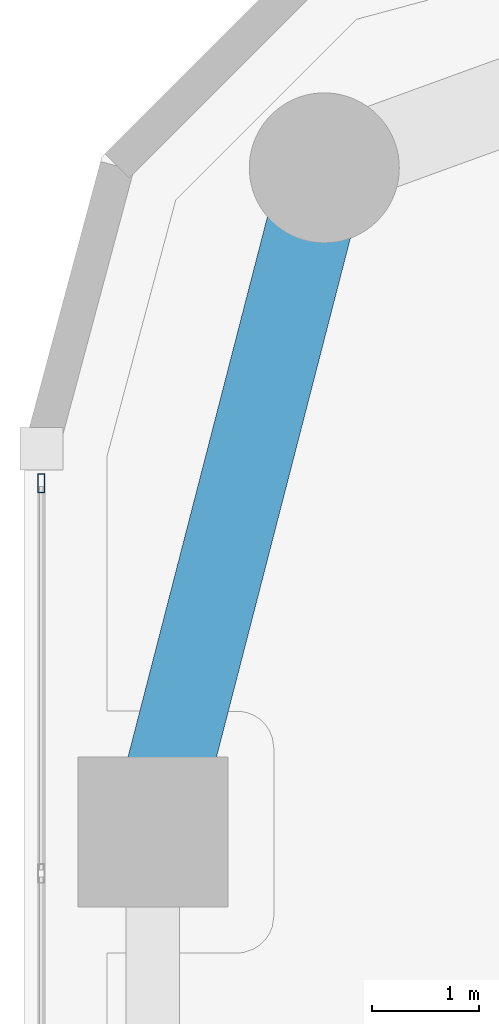
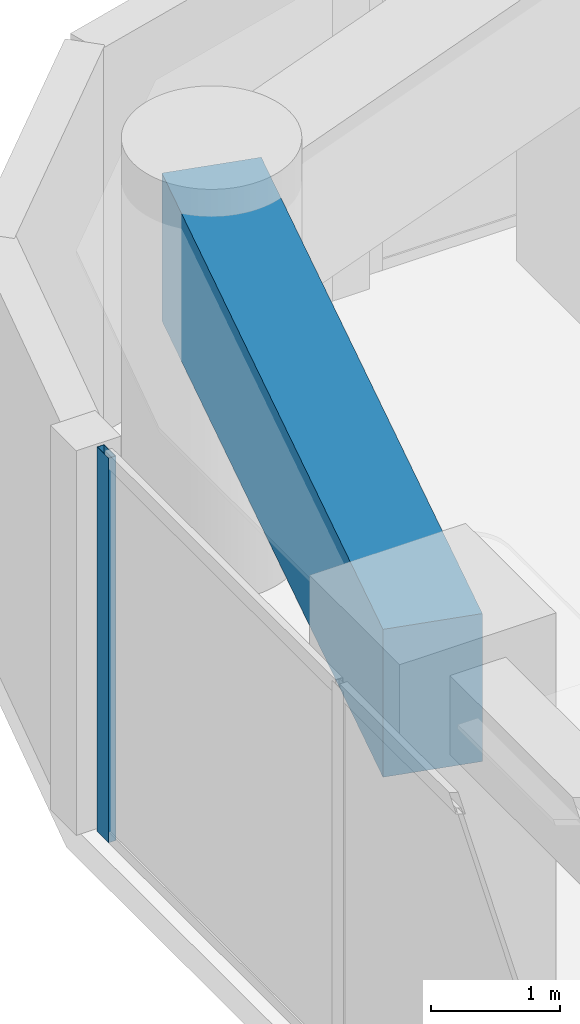
# One storey, part 11 of 24: 1 beam, 1 member, 1 element without a shape of its own.
"""IFC4 building model written with IfcOpenShell, lengths in metres."""

from ifc_helpers import new_model, si_unit, direction, frame, origin, origin_2d, place, context, subcontext, project, spatial, rectangle, hollow_rectangle, extrude, material, layer, layer_set, material_profile, profile_set, type_object, element, aggregate, save


model = new_model("IFC4")

# Units and contexts
model_context = context("Model", 3, precision=1e-05, world=origin(), true_north=direction((0.0, 1.0)))
body_context = subcontext(model_context, "Body", "Model", "MODEL_VIEW")
ifc_project = project(units=[si_unit("LENGTHUNIT", "METRE"), si_unit("AREAUNIT", "SQUARE_METRE"), si_unit("VOLUMEUNIT", "CUBIC_METRE"), si_unit("PLANEANGLEUNIT", "RADIAN"), si_unit("MASSUNIT", "GRAM", prefix="KILO")], contexts=[model_context])

# Site, building, storey
site_placement = place(None, origin())
site = spatial("IfcSite", under=ifc_project, at=site_placement, CompositionType="ELEMENT")
building_placement = place(site_placement, origin())
building = spatial("IfcBuilding", under=site, at=building_placement, Name="Kiyonajd Concourse Tower", CompositionType="ELEMENT")
storey_placement = place(building_placement, frame((0.0, 0.0, 133.800048828125)))
storey = spatial("IfcBuildingStorey", under=building, at=storey_placement, Name="L34", CompositionType="ELEMENT", Elevation=133.800048828125)

# Beam
ifc_material_1 = material(Name="Concrete C60/75", Category="concrete")
ifc_material_profile_1 = material_profile(ifc_material_1, rectangle(XDim=0.800048828125, YDim=1.39990234375, at=origin_2d()), Name="RCBM-800x1400")
ifc_profile_set_1 = profile_set([ifc_material_profile_1], Name="Concrete C60/75")
beam_type = type_object("IfcBeamType", Name="BM-XFER-RC", PredefinedType="BEAM", material=ifc_profile_set_1)
beam_placement = place(storey_placement, frame((20.800048828125, 59.60009765625, 2.93994140625), z_axis=(-0.249884937687, -0.968275538221, 0.0), x_axis=(0.968275538221, -0.249884937687, 0.0)))
element("IfcBeam", 1, at=beam_placement, inside=storey, type_object=beam_type, Name="L34 Perimeter Bundled Tube Spandrel", PredefinedType="BEAM", context=body_context, shape_type="SweptSolid", body=[
    extrude(rectangle(XDim=0.800048828125, YDim=1.39990234375, at=origin_2d()), origin(), (0.0, 0.0, 1.0), 6.4033203125),
])

# Curtain wall, member
ifc_material_2 = material(Name="Thermally Broken Anodised Aluminium", Category="aluminium")
ifc_layer = layer(ifc_material_2, 0.179931640625)
ifc_layer_set = layer_set([ifc_layer], Name="Thermally Broken Anodised Aluminium")
curtain_wall_type = type_object("IfcCurtainWallType", Name="CW-SYS-03", PredefinedType="NOTDEFINED", material=ifc_layer_set)
curtain_wall_placement = place(storey_placement, origin())
curtain_wall = element("IfcCurtainWall", 2, at=curtain_wall_placement, inside=storey, type_object=curtain_wall_type, Name="L34 Unitised Curtain Wall CW3", PredefinedType="NOTDEFINED")
ifc_material_profile_2 = material_profile(ifc_material_2, hollow_rectangle(XDim=0.06494140625, YDim=0.179931640625, WallThickness=0.00390625, at=origin_2d()), Name="MULL-65x180")
ifc_profile_set_2 = profile_set([ifc_material_profile_2], Name="Thermally Broken Anodised Aluminium")
member_type = type_object("IfcMemberType", Name="MB-CW-MULL1", PredefinedType="MULLION", material=ifc_profile_set_2)
member_placement = place(storey_placement, frame((18.159912109375, 56.656494140625, 0.0), z_axis=(0.0, 0.0, 1.0), x_axis=(-1.0, 0.0, 0.0)))
member = element("IfcMember", 3, at=member_placement, type_object=member_type, Name="CW3 mullion 7", PredefinedType="MULLION", context=body_context, shape_type="SweptSolid", body=[
    extrude(hollow_rectangle(XDim=0.06494140625, YDim=0.179931640625, WallThickness=0.00390625, at=origin_2d()), origin(), (0.0, 0.0, 1.0), 3.639892578125),
])
aggregate(curtain_wall, [member])

save(model, "model.ifc")
